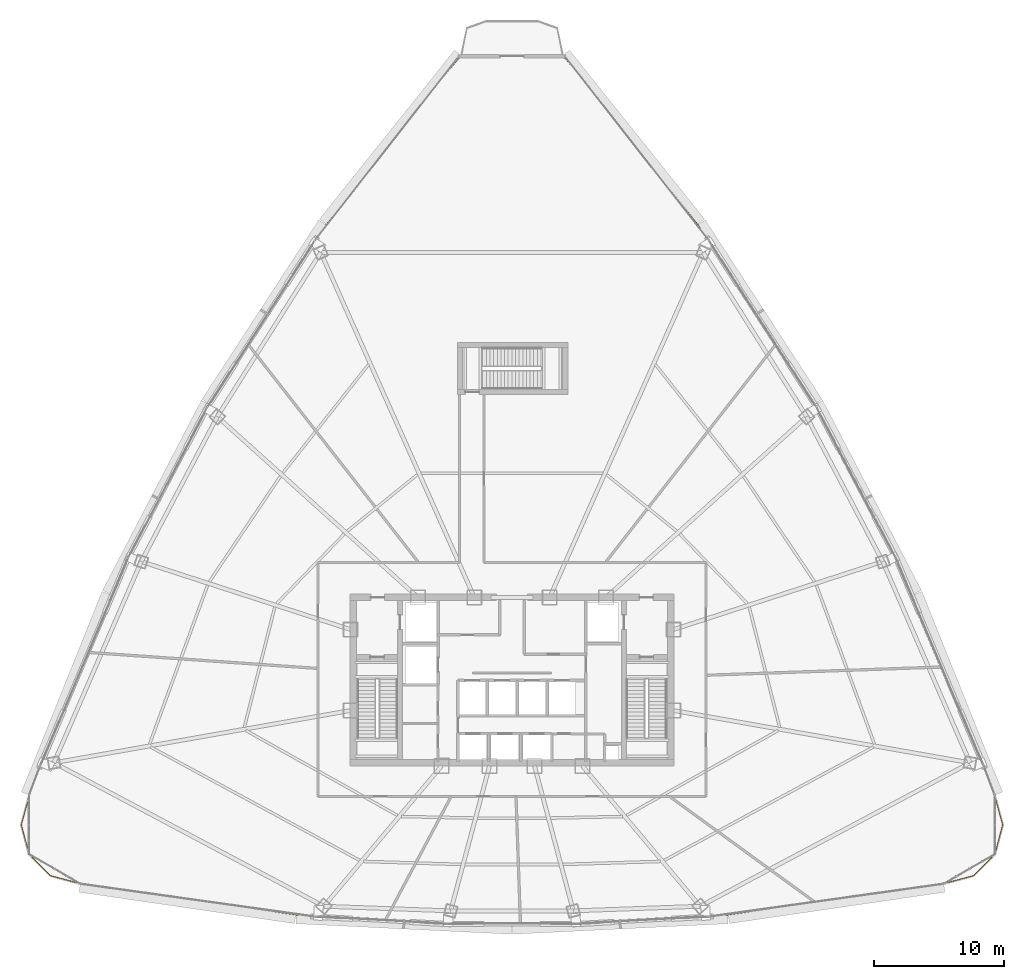
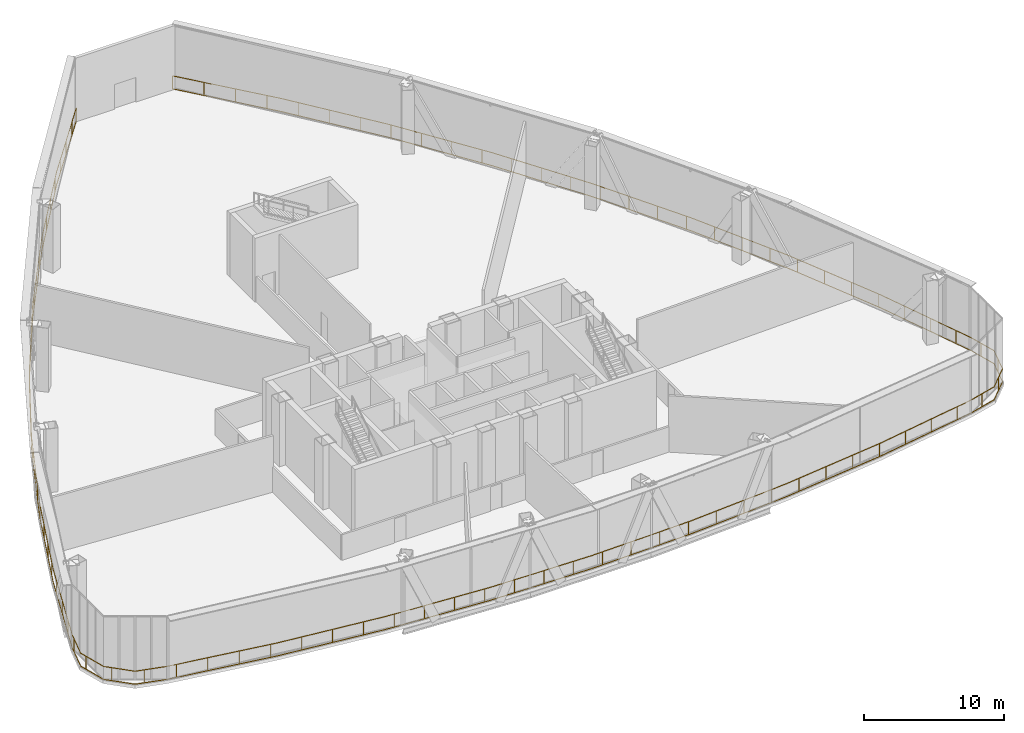
# One storey, part 36 of 38: 1 railing.
"""IFC4 building model written with IfcOpenShell, lengths in metres."""

from ifc_helpers import new_model, si_unit, direction, frame, origin, origin_2d, place, context, subcontext, project, spatial, rectangle, extrude, material, type_object, element, save


model = new_model("IFC4")

# Units and contexts
model_context = context("Model", 3, precision=1e-05, world=origin(), true_north=direction((0.0, 1.0)))
body_context = subcontext(model_context, "Body", "Model", "MODEL_VIEW")
ifc_project = project(units=[si_unit("LENGTHUNIT", "METRE"), si_unit("AREAUNIT", "SQUARE_METRE"), si_unit("VOLUMEUNIT", "CUBIC_METRE"), si_unit("PLANEANGLEUNIT", "RADIAN"), si_unit("MASSUNIT", "GRAM", prefix="KILO"), si_unit("THERMODYNAMICTEMPERATUREUNIT", "KELVIN"), si_unit("POWERUNIT", "WATT")], contexts=[model_context])

# Site, building, storey
site_placement = place(None, origin())
site = spatial("IfcSite", under=ifc_project, at=site_placement, CompositionType="ELEMENT")
building_placement = place(site_placement, origin())
building = spatial("IfcBuilding", under=site, at=building_placement, Name="Yunzhuo Pagoda Commons", CompositionType="ELEMENT")
storey_placement = place(building_placement, frame((0.0, 0.0, 218.9599609375)))
storey = spatial("IfcBuildingStorey", under=building, at=storey_placement, Name="L55", CompositionType="ELEMENT", Elevation=218.9599609375)

# Railing
ifc_material = material(Name="Anodized aluminium 6063-T6", Category="aluminium")
railing_type = type_object("IfcRailingType", Name="RL-SIL1 Curtain-Wall Sill Safety Guardrail 1180", PredefinedType="GUARDRAIL", material=ifc_material)
railing_placement = place(storey_placement, frame((51.968017578125, 81.778564453125, 0.0)))
element("IfcRailing", 1, at=railing_placement, inside=storey, type_object=railing_type, Name="L55 curtain-wall sill safety rail 1", PredefinedType="GUARDRAIL", context=body_context, shape_type="SweptSolid", body=[
    extrude(rectangle(XDim=0.048095703125, YDim=0.048095703125, at=origin_2d()), frame((0.0, 0.0, 1.15576171875), z_axis=(0.643014100333, -0.76585433783, 0.0), x_axis=(0.76585433783, 0.643014100333, 0.0)), (0.0, 0.0, 1.0), 8.236083984375),
    extrude(rectangle(XDim=0.048095703125, YDim=0.048095703125, at=origin_2d()), frame((0.0, 0.0, 0.02392578125), z_axis=(0.643014100333, -0.76585433783, 0.0), x_axis=(0.76585433783, 0.643014100333, 0.0)), (0.0, 0.0, 1.0), 8.236083984375),
    extrude(rectangle(XDim=0.048095703125, YDim=0.048095703125, at=origin_2d()), frame((5.2958984375, -6.3076171875, 1.15576171875), z_axis=(0.605524264173, -0.795826843916, 0.0), x_axis=(0.795826843916, 0.605524264173, 0.0)), (0.0, 0.0, 1.0), 8.2939453125),
    extrude(rectangle(XDim=0.048095703125, YDim=0.048095703125, at=origin_2d()), frame((5.2958984375, -6.3076171875, 0.02392578125), z_axis=(0.605524264173, -0.795826843916, 0.0), x_axis=(0.795826843916, 0.605524264173, 0.0)), (0.0, 0.0, 1.0), 8.2939453125),
    extrude(rectangle(XDim=0.048095703125, YDim=0.048095703125, at=origin_2d()), frame((10.318115234375, -12.908203125, 1.15576171875), z_axis=(0.566160996549, -0.824294683949, 0.0), x_axis=(0.824294683949, 0.566160996549, 0.0)), (0.0, 0.0, 1.0), 8.2548828125),
    extrude(rectangle(XDim=0.048095703125, YDim=0.048095703125, at=origin_2d()), frame((10.318115234375, -12.908203125, 0.02392578125), z_axis=(0.566160996549, -0.824294683949, 0.0), x_axis=(0.824294683949, 0.566160996549, 0.0)), (0.0, 0.0, 1.0), 8.2548828125),
    extrude(rectangle(XDim=0.048095703125, YDim=0.048095703125, at=origin_2d()), frame((14.99169921875, -19.712646484375, 1.15576171875), z_axis=(0.525163978831, -0.85100105484, 0.0), x_axis=(0.85100105484, 0.525163978831, 0.0)), (0.0, 0.0, 1.0), 8.234619140625),
    extrude(rectangle(XDim=0.048095703125, YDim=0.048095703125, at=origin_2d()), frame((14.99169921875, -19.712646484375, 0.02392578125), z_axis=(0.525163978831, -0.85100105484, 0.0), x_axis=(0.85100105484, 0.525163978831, 0.0)), (0.0, 0.0, 1.0), 8.234619140625),
    extrude(rectangle(XDim=0.048095703125, YDim=0.048095703125, at=origin_2d()), frame((19.316162109375, -26.72021484375, 1.15576171875), z_axis=(0.482785756314, -0.875738496071, 0.0), x_axis=(0.875738496071, 0.482785756314, 0.0)), (0.0, 0.0, 1.0), 8.234619140625),
    extrude(rectangle(XDim=0.048095703125, YDim=0.048095703125, at=origin_2d()), frame((19.316162109375, -26.72021484375, 0.02392578125), z_axis=(0.482785756314, -0.875738496071, 0.0), x_axis=(0.875738496071, 0.482785756314, 0.0)), (0.0, 0.0, 1.0), 8.234619140625),
    extrude(rectangle(XDim=0.048095703125, YDim=0.048095703125, at=origin_2d()), frame((23.291748046875, -33.931640625, 1.15576171875), z_axis=(0.439376686722, -0.898302915038, 0.0), x_axis=(0.898302915038, 0.439376686722, 0.0)), (0.0, 0.0, 1.0), 8.2548828125),
    extrude(rectangle(XDim=0.048095703125, YDim=0.048095703125, at=origin_2d()), frame((23.291748046875, -33.931640625, 0.02392578125), z_axis=(0.439376686722, -0.898302915038, 0.0), x_axis=(0.898302915038, 0.439376686722, 0.0)), (0.0, 0.0, 1.0), 8.2548828125),
    extrude(rectangle(XDim=0.048095703125, YDim=0.048095703125, at=origin_2d()), frame((26.918701171875, -41.346923828125, 1.15576171875), z_axis=(0.395236914999, -0.918579218697, 0.0), x_axis=(0.918579218697, 0.395236914999, 0.0)), (0.0, 0.0, 1.0), 8.2939453125),
    extrude(rectangle(XDim=0.048095703125, YDim=0.048095703125, at=origin_2d()), frame((26.918701171875, -41.346923828125, 0.02392578125), z_axis=(0.395236914999, -0.918579218697, 0.0), x_axis=(0.918579218697, 0.395236914999, 0.0)), (0.0, 0.0, 1.0), 8.2939453125),
    extrude(rectangle(XDim=0.048095703125, YDim=0.048095703125, at=origin_2d()), frame((30.19677734375, -48.965576171875, 1.15576171875), z_axis=(0.350713304971, -0.936482876361, 0.0), x_axis=(0.936482876361, 0.350713304971, 0.0)), (0.0, 0.0, 1.0), 8.350830078125),
    extrude(rectangle(XDim=0.048095703125, YDim=0.048095703125, at=origin_2d()), frame((30.19677734375, -48.965576171875, 0.02392578125), z_axis=(0.350713304971, -0.936482876361, 0.0), x_axis=(0.936482876361, 0.350713304971, 0.0)), (0.0, 0.0, 1.0), 8.350830078125),
    extrude(rectangle(XDim=0.048095703125, YDim=0.048095703125, at=origin_2d()), frame((33.12548828125, -56.785888671875, 1.15576171875), z_axis=(0.262801225406, -0.964849996593, 0.0), x_axis=(0.964849996593, 0.262801225406, 0.0)), (0.0, 0.0, 1.0), 2.352294921875),
    extrude(rectangle(XDim=0.048095703125, YDim=0.048095703125, at=origin_2d()), frame((33.12548828125, -56.785888671875, 0.02392578125), z_axis=(0.262801225406, -0.964849996593, 0.0), x_axis=(0.964849996593, 0.262801225406, 0.0)), (0.0, 0.0, 1.0), 2.352294921875),
    extrude(rectangle(XDim=0.048095703125, YDim=0.048095703125, at=origin_2d()), frame((33.74365234375, -59.055419921875, 1.15576171875), z_axis=(-0.255901201169, -0.966702940536, 0.0), x_axis=(0.966702940536, -0.255901201169, 0.0)), (0.0, 0.0, 1.0), 2.329833984375),
    extrude(rectangle(XDim=0.048095703125, YDim=0.048095703125, at=origin_2d()), frame((33.74365234375, -59.055419921875, 0.02392578125), z_axis=(-0.255901201169, -0.966702940536, 0.0), x_axis=(0.966702940536, -0.255901201169, 0.0)), (0.0, 0.0, 1.0), 2.329833984375),
    extrude(rectangle(XDim=0.048095703125, YDim=0.048095703125, at=origin_2d()), frame((33.1474609375, -61.3076171875, 1.15576171875), z_axis=(-0.705848213811, -0.708363112435, 0.0), x_axis=(0.708363112435, -0.705848213811, 0.0)), (0.0, 0.0, 1.0), 2.329833984375),
    extrude(rectangle(XDim=0.048095703125, YDim=0.048095703125, at=origin_2d()), frame((33.1474609375, -61.3076171875, 0.02392578125), z_axis=(-0.705848213811, -0.708363112435, 0.0), x_axis=(0.708363112435, -0.705848213811, 0.0)), (0.0, 0.0, 1.0), 2.329833984375),
    extrude(rectangle(XDim=0.048095703125, YDim=0.048095703125, at=origin_2d()), frame((31.5029296875, -62.9580078125, 1.15576171875), z_axis=(-0.965769930566, -0.259400156544, 0.0), x_axis=(0.259400156544, -0.965769930566, 0.0)), (0.0, 0.0, 1.0), 2.35205078125),
    extrude(rectangle(XDim=0.048095703125, YDim=0.048095703125, at=origin_2d()), frame((31.5029296875, -62.9580078125, 0.02392578125), z_axis=(-0.965769930566, -0.259400156544, 0.0), x_axis=(0.259400156544, -0.965769930566, 0.0)), (0.0, 0.0, 1.0), 2.35205078125),
    extrude(rectangle(XDim=0.048095703125, YDim=0.048095703125, at=origin_2d()), frame((29.2314453125, -63.568115234375, 1.15576171875), z_axis=(-0.985804526299, -0.167897099228, 0.0), x_axis=(0.167897099228, -0.985804526299, 0.0)), (0.0, 0.0, 1.0), 8.417724609375),
    extrude(rectangle(XDim=0.048095703125, YDim=0.048095703125, at=origin_2d()), frame((29.2314453125, -63.568115234375, 0.02392578125), z_axis=(-0.985804526299, -0.167897099228, 0.0), x_axis=(0.167897099228, -0.985804526299, 0.0)), (0.0, 0.0, 1.0), 8.417724609375),
    extrude(rectangle(XDim=0.048095703125, YDim=0.048095703125, at=origin_2d()), frame((20.93310546875, -64.9814453125, 1.15576171875), z_axis=(-0.992681688938, -0.120760359583, 0.0), x_axis=(0.120760359583, -0.992681688938, 0.0)), (0.0, 0.0, 1.0), 8.36181640625),
    extrude(rectangle(XDim=0.048095703125, YDim=0.048095703125, at=origin_2d()), frame((20.93310546875, -64.9814453125, 0.02392578125), z_axis=(-0.992681688938, -0.120760359583, 0.0), x_axis=(0.120760359583, -0.992681688938, 0.0)), (0.0, 0.0, 1.0), 8.36181640625),
    extrude(rectangle(XDim=0.048095703125, YDim=0.048095703125, at=origin_2d()), frame((12.632568359375, -65.9912109375, 1.15576171875), z_axis=(-0.997345791259, -0.072810525734, 0.0), x_axis=(0.072810525734, -0.997345791259, 0.0)), (0.0, 0.0, 1.0), 8.322265625),
    extrude(rectangle(XDim=0.048095703125, YDim=0.048095703125, at=origin_2d()), frame((12.632568359375, -65.9912109375, 0.02392578125), z_axis=(-0.997345791259, -0.072810525734, 0.0), x_axis=(0.072810525734, -0.997345791259, 0.0)), (0.0, 0.0, 1.0), 8.322265625),
    extrude(rectangle(XDim=0.048095703125, YDim=0.048095703125, at=origin_2d()), frame((4.332275390625, -66.59716796875, 1.15576171875), z_axis=(-0.999704279381, -0.024317766899, 0.0), x_axis=(0.024317766899, -0.999704279381, 0.0)), (0.0, 0.0, 1.0), 8.302734375),
    extrude(rectangle(XDim=0.048095703125, YDim=0.048095703125, at=origin_2d()), frame((4.332275390625, -66.59716796875, 0.02392578125), z_axis=(-0.999704279381, -0.024317766899, 0.0), x_axis=(0.024317766899, -0.999704279381, 0.0)), (0.0, 0.0, 1.0), 8.302734375),
    extrude(rectangle(XDim=0.048095703125, YDim=0.048095703125, at=origin_2d()), frame((-3.968017578125, -66.799072265625, 1.15576171875), z_axis=(-0.999704279381, 0.024317766899, 0.0), x_axis=(-0.024317766899, -0.999704279381, 0.0)), (0.0, 0.0, 1.0), 8.302734375),
    extrude(rectangle(XDim=0.048095703125, YDim=0.048095703125, at=origin_2d()), frame((-3.968017578125, -66.799072265625, 0.02392578125), z_axis=(-0.999704279381, 0.024317766899, 0.0), x_axis=(-0.024317766899, -0.999704279381, 0.0)), (0.0, 0.0, 1.0), 8.302734375),
    extrude(rectangle(XDim=0.048095703125, YDim=0.048095703125, at=origin_2d()), frame((-12.268310546875, -66.59716796875, 1.15576171875), z_axis=(-0.997345791259, 0.072810525734, 0.0), x_axis=(-0.072810525734, -0.997345791259, 0.0)), (0.0, 0.0, 1.0), 8.322265625),
    extrude(rectangle(XDim=0.048095703125, YDim=0.048095703125, at=origin_2d()), frame((-12.268310546875, -66.59716796875, 0.02392578125), z_axis=(-0.997345791259, 0.072810525734, 0.0), x_axis=(-0.072810525734, -0.997345791259, 0.0)), (0.0, 0.0, 1.0), 8.322265625),
    extrude(rectangle(XDim=0.048095703125, YDim=0.048095703125, at=origin_2d()), frame((-20.568603515625, -65.9912109375, 1.15576171875), z_axis=(-0.992681688938, 0.120760359583, 0.0), x_axis=(-0.120760359583, -0.992681688938, 0.0)), (0.0, 0.0, 1.0), 8.36181640625),
    extrude(rectangle(XDim=0.048095703125, YDim=0.048095703125, at=origin_2d()), frame((-20.568603515625, -65.9912109375, 0.02392578125), z_axis=(-0.992681688938, 0.120760359583, 0.0), x_axis=(-0.120760359583, -0.992681688938, 0.0)), (0.0, 0.0, 1.0), 8.36181640625),
    extrude(rectangle(XDim=0.048095703125, YDim=0.048095703125, at=origin_2d()), frame((-28.869140625, -64.9814453125, 1.15576171875), z_axis=(-0.985804526299, 0.167897099228, 0.0), x_axis=(-0.167897099228, -0.985804526299, 0.0)), (0.0, 0.0, 1.0), 8.417724609375),
    extrude(rectangle(XDim=0.048095703125, YDim=0.048095703125, at=origin_2d()), frame((-28.869140625, -64.9814453125, 0.02392578125), z_axis=(-0.985804526299, 0.167897099228, 0.0), x_axis=(-0.167897099228, -0.985804526299, 0.0)), (0.0, 0.0, 1.0), 8.417724609375),
    extrude(rectangle(XDim=0.048095703125, YDim=0.048095703125, at=origin_2d()), frame((-37.16748046875, -63.568115234375, 1.15576171875), z_axis=(-0.965769930566, 0.259400156544, 0.0), x_axis=(-0.259400156544, -0.965769930566, 0.0)), (0.0, 0.0, 1.0), 2.35205078125),
    extrude(rectangle(XDim=0.048095703125, YDim=0.048095703125, at=origin_2d()), frame((-37.16748046875, -63.568115234375, 0.02392578125), z_axis=(-0.965769930566, 0.259400156544, 0.0), x_axis=(-0.259400156544, -0.965769930566, 0.0)), (0.0, 0.0, 1.0), 2.35205078125),
    extrude(rectangle(XDim=0.048095703125, YDim=0.048095703125, at=origin_2d()), frame((-39.43896484375, -62.9580078125, 1.15576171875), z_axis=(-0.705848213811, 0.708363112435, 0.0), x_axis=(-0.708363112435, -0.705848213811, 0.0)), (0.0, 0.0, 1.0), 2.329833984375),
    extrude(rectangle(XDim=0.048095703125, YDim=0.048095703125, at=origin_2d()), frame((-39.43896484375, -62.9580078125, 0.02392578125), z_axis=(-0.705848213811, 0.708363112435, 0.0), x_axis=(-0.708363112435, -0.705848213811, 0.0)), (0.0, 0.0, 1.0), 2.329833984375),
    extrude(rectangle(XDim=0.048095703125, YDim=0.048095703125, at=origin_2d()), frame((-41.08349609375, -61.3076171875, 1.15576171875), z_axis=(-0.255901201169, 0.966702940536, 0.0), x_axis=(-0.966702940536, -0.255901201169, 0.0)), (0.0, 0.0, 1.0), 2.329833984375),
    extrude(rectangle(XDim=0.048095703125, YDim=0.048095703125, at=origin_2d()), frame((-41.08349609375, -61.3076171875, 0.02392578125), z_axis=(-0.255901201169, 0.966702940536, 0.0), x_axis=(-0.966702940536, -0.255901201169, 0.0)), (0.0, 0.0, 1.0), 2.329833984375),
    extrude(rectangle(XDim=0.048095703125, YDim=0.048095703125, at=origin_2d()), frame((-41.6796875, -59.055419921875, 1.15576171875), z_axis=(0.262801225406, 0.964849996593, 0.0), x_axis=(-0.964849996593, 0.262801225406, 0.0)), (0.0, 0.0, 1.0), 2.352294921875),
    extrude(rectangle(XDim=0.048095703125, YDim=0.048095703125, at=origin_2d()), frame((-41.6796875, -59.055419921875, 0.02392578125), z_axis=(0.262801225406, 0.964849996593, 0.0), x_axis=(-0.964849996593, 0.262801225406, 0.0)), (0.0, 0.0, 1.0), 2.352294921875),
    extrude(rectangle(XDim=0.048095703125, YDim=0.048095703125, at=origin_2d()), frame((-41.0615234375, -56.785888671875, 1.15576171875), z_axis=(0.350713304971, 0.936482876361, 0.0), x_axis=(-0.936482876361, 0.350713304971, 0.0)), (0.0, 0.0, 1.0), 8.350830078125),
    extrude(rectangle(XDim=0.048095703125, YDim=0.048095703125, at=origin_2d()), frame((-41.0615234375, -56.785888671875, 0.02392578125), z_axis=(0.350713304971, 0.936482876361, 0.0), x_axis=(-0.936482876361, 0.350713304971, 0.0)), (0.0, 0.0, 1.0), 8.350830078125),
    extrude(rectangle(XDim=0.048095703125, YDim=0.048095703125, at=origin_2d()), frame((-38.1328125, -48.965576171875, 1.15576171875), z_axis=(0.395236914999, 0.918579218697, 0.0), x_axis=(-0.918579218697, 0.395236914999, 0.0)), (0.0, 0.0, 1.0), 8.2939453125),
    extrude(rectangle(XDim=0.048095703125, YDim=0.048095703125, at=origin_2d()), frame((-38.1328125, -48.965576171875, 0.02392578125), z_axis=(0.395236914999, 0.918579218697, 0.0), x_axis=(-0.918579218697, 0.395236914999, 0.0)), (0.0, 0.0, 1.0), 8.2939453125),
    extrude(rectangle(XDim=0.048095703125, YDim=0.048095703125, at=origin_2d()), frame((-34.854736328125, -41.346923828125, 1.15576171875), z_axis=(0.439376686722, 0.898302915038, 0.0), x_axis=(-0.898302915038, 0.439376686722, 0.0)), (0.0, 0.0, 1.0), 8.2548828125),
    extrude(rectangle(XDim=0.048095703125, YDim=0.048095703125, at=origin_2d()), frame((-34.854736328125, -41.346923828125, 0.02392578125), z_axis=(0.439376686722, 0.898302915038, 0.0), x_axis=(-0.898302915038, 0.439376686722, 0.0)), (0.0, 0.0, 1.0), 8.2548828125),
    extrude(rectangle(XDim=0.048095703125, YDim=0.048095703125, at=origin_2d()), frame((-31.227783203125, -33.931640625, 1.15576171875), z_axis=(0.482785756314, 0.875738496071, 0.0), x_axis=(-0.875738496071, 0.482785756314, 0.0)), (0.0, 0.0, 1.0), 8.234619140625),
    extrude(rectangle(XDim=0.048095703125, YDim=0.048095703125, at=origin_2d()), frame((-31.227783203125, -33.931640625, 0.02392578125), z_axis=(0.482785756314, 0.875738496071, 0.0), x_axis=(-0.875738496071, 0.482785756314, 0.0)), (0.0, 0.0, 1.0), 8.234619140625),
    extrude(rectangle(XDim=0.048095703125, YDim=0.048095703125, at=origin_2d()), frame((-27.252197265625, -26.72021484375, 1.15576171875), z_axis=(0.525163978831, 0.85100105484, 0.0), x_axis=(-0.85100105484, 0.525163978831, 0.0)), (0.0, 0.0, 1.0), 8.234619140625),
    extrude(rectangle(XDim=0.048095703125, YDim=0.048095703125, at=origin_2d()), frame((-27.252197265625, -26.72021484375, 0.02392578125), z_axis=(0.525163978831, 0.85100105484, 0.0), x_axis=(-0.85100105484, 0.525163978831, 0.0)), (0.0, 0.0, 1.0), 8.234619140625),
    extrude(rectangle(XDim=0.048095703125, YDim=0.048095703125, at=origin_2d()), frame((-22.927734375, -19.712646484375, 1.15576171875), z_axis=(0.566160996549, 0.824294683949, 0.0), x_axis=(-0.824294683949, 0.566160996549, 0.0)), (0.0, 0.0, 1.0), 8.2548828125),
    extrude(rectangle(XDim=0.048095703125, YDim=0.048095703125, at=origin_2d()), frame((-22.927734375, -19.712646484375, 0.02392578125), z_axis=(0.566160996549, 0.824294683949, 0.0), x_axis=(-0.824294683949, 0.566160996549, 0.0)), (0.0, 0.0, 1.0), 8.2548828125),
    extrude(rectangle(XDim=0.048095703125, YDim=0.048095703125, at=origin_2d()), frame((-18.254150390625, -12.908203125, 1.15576171875), z_axis=(0.605524264173, 0.795826843916, 0.0), x_axis=(-0.795826843916, 0.605524264173, 0.0)), (0.0, 0.0, 1.0), 8.2939453125),
    extrude(rectangle(XDim=0.048095703125, YDim=0.048095703125, at=origin_2d()), frame((-18.254150390625, -12.908203125, 0.02392578125), z_axis=(0.605524264173, 0.795826843916, 0.0), x_axis=(-0.795826843916, 0.605524264173, 0.0)), (0.0, 0.0, 1.0), 8.2939453125),
    extrude(rectangle(XDim=0.048095703125, YDim=0.048095703125, at=origin_2d()), frame((-13.23193359375, -6.3076171875, 1.15576171875), z_axis=(0.643014100333, 0.76585433783, 0.0), x_axis=(-0.76585433783, 0.643014100333, 0.0)), (0.0, 0.0, 1.0), 8.236083984375),
    extrude(rectangle(XDim=0.048095703125, YDim=0.048095703125, at=origin_2d()), frame((-13.23193359375, -6.3076171875, 0.02392578125), z_axis=(0.643014100333, 0.76585433783, 0.0), x_axis=(-0.76585433783, 0.643014100333, 0.0)), (0.0, 0.0, 1.0), 8.236083984375),
    extrude(rectangle(XDim=0.0419921875, YDim=0.0419921875, at=origin_2d()), origin(), (0.0, 0.0, 1.0), 1.1318359375),
    extrude(rectangle(XDim=0.0419921875, YDim=0.0419921875, at=origin_2d()), frame((1.543212890625, -1.838134765625, 0.0)), (0.0, 0.0, 1.0), 1.1318359375),
    extrude(rectangle(XDim=0.0419921875, YDim=0.0419921875, at=origin_2d()), frame((3.08642578125, -3.676025390625, 0.0)), (0.0, 0.0, 1.0), 1.1318359375),
    extrude(rectangle(XDim=0.0419921875, YDim=0.0419921875, at=origin_2d()), frame((4.629638671875, -5.51416015625, 0.0)), (0.0, 0.0, 1.0), 1.1318359375),
    extrude(rectangle(XDim=0.0419921875, YDim=0.0419921875, at=origin_2d()), frame((6.121826171875, -7.39306640625, 0.0)), (0.0, 0.0, 1.0), 1.1318359375),
    extrude(rectangle(XDim=0.0419921875, YDim=0.0419921875, at=origin_2d()), frame((7.574951171875, -9.302978515625, 0.0)), (0.0, 0.0, 1.0), 1.1318359375),
    extrude(rectangle(XDim=0.0419921875, YDim=0.0419921875, at=origin_2d()), frame((9.0283203125, -11.213134765625, 0.0)), (0.0, 0.0, 1.0), 1.1318359375),
    extrude(rectangle(XDim=0.0419921875, YDim=0.0419921875, at=origin_2d()), frame((10.470947265625, -13.130615234375, 0.0)), (0.0, 0.0, 1.0), 1.1318359375),
    extrude(rectangle(XDim=0.0419921875, YDim=0.0419921875, at=origin_2d()), frame((11.829833984375, -15.109130859375, 0.0)), (0.0, 0.0, 1.0), 1.1318359375),
    extrude(rectangle(XDim=0.0419921875, YDim=0.0419921875, at=origin_2d()), frame((13.1884765625, -17.08740234375, 0.0)), (0.0, 0.0, 1.0), 1.1318359375),
    extrude(rectangle(XDim=0.0419921875, YDim=0.0419921875, at=origin_2d()), frame((14.54736328125, -19.065673828125, 0.0)), (0.0, 0.0, 1.0), 1.1318359375),
    extrude(rectangle(XDim=0.0419921875, YDim=0.0419921875, at=origin_2d()), frame((15.83984375, -21.087158203125, 0.0)), (0.0, 0.0, 1.0), 1.1318359375),
    extrude(rectangle(XDim=0.0419921875, YDim=0.0419921875, at=origin_2d()), frame((17.100341796875, -23.12939453125, 0.0)), (0.0, 0.0, 1.0), 1.1318359375),
    extrude(rectangle(XDim=0.0419921875, YDim=0.0419921875, at=origin_2d()), frame((18.360595703125, -25.171875, 0.0)), (0.0, 0.0, 1.0), 1.1318359375),
    extrude(rectangle(XDim=0.0419921875, YDim=0.0419921875, at=origin_2d()), frame((19.596435546875, -27.228759765625, 0.0)), (0.0, 0.0, 1.0), 1.1318359375),
    extrude(rectangle(XDim=0.0419921875, YDim=0.0419921875, at=origin_2d()), frame((20.755126953125, -29.330322265625, 0.0)), (0.0, 0.0, 1.0), 1.1318359375),
    extrude(rectangle(XDim=0.0419921875, YDim=0.0419921875, at=origin_2d()), frame((21.913818359375, -31.43212890625, 0.0)), (0.0, 0.0, 1.0), 1.1318359375),
    extrude(rectangle(XDim=0.0419921875, YDim=0.0419921875, at=origin_2d()), frame((23.072509765625, -33.533935546875, 0.0)), (0.0, 0.0, 1.0), 1.1318359375),
    extrude(rectangle(XDim=0.0419921875, YDim=0.0419921875, at=origin_2d()), frame((24.146728515625, -35.6796875, 0.0)), (0.0, 0.0, 1.0), 1.1318359375),
    extrude(rectangle(XDim=0.0419921875, YDim=0.0419921875, at=origin_2d()), frame((25.201171875, -37.835693359375, 0.0)), (0.0, 0.0, 1.0), 1.1318359375),
    extrude(rectangle(XDim=0.0419921875, YDim=0.0419921875, at=origin_2d()), frame((26.255859375, -39.991455078125, 0.0)), (0.0, 0.0, 1.0), 1.1318359375),
    extrude(rectangle(XDim=0.0419921875, YDim=0.0419921875, at=origin_2d()), frame((27.27099609375, -42.16552734375, 0.0)), (0.0, 0.0, 1.0), 1.1318359375),
    extrude(rectangle(XDim=0.0419921875, YDim=0.0419921875, at=origin_2d()), frame((28.219482421875, -44.3701171875, 0.0)), (0.0, 0.0, 1.0), 1.1318359375),
    extrude(rectangle(XDim=0.0419921875, YDim=0.0419921875, at=origin_2d()), frame((29.16796875, -46.57470703125, 0.0)), (0.0, 0.0, 1.0), 1.1318359375),
    extrude(rectangle(XDim=0.0419921875, YDim=0.0419921875, at=origin_2d()), frame((30.11669921875, -48.779296875, 0.0)), (0.0, 0.0, 1.0), 1.1318359375),
    extrude(rectangle(XDim=0.0419921875, YDim=0.0419921875, at=origin_2d()), frame((30.96728515625, -51.023193359375, 0.0)), (0.0, 0.0, 1.0), 1.1318359375),
    extrude(rectangle(XDim=0.0419921875, YDim=0.0419921875, at=origin_2d()), frame((31.80908203125, -53.270751953125, 0.0)), (0.0, 0.0, 1.0), 1.1318359375),
    extrude(rectangle(XDim=0.0419921875, YDim=0.0419921875, at=origin_2d()), frame((32.65087890625, -55.518310546875, 0.0)), (0.0, 0.0, 1.0), 1.1318359375),
    extrude(rectangle(XDim=0.0419921875, YDim=0.0419921875, at=origin_2d()), frame((33.400390625, -57.795654296875, 0.0)), (0.0, 0.0, 1.0), 1.1318359375),
    extrude(rectangle(XDim=0.0419921875, YDim=0.0419921875, at=origin_2d()), frame((33.463623046875, -60.11328125, 0.0)), (0.0, 0.0, 1.0), 1.1318359375),
    extrude(rectangle(XDim=0.0419921875, YDim=0.0419921875, at=origin_2d()), frame((32.325439453125, -62.132568359375, 0.0)), (0.0, 0.0, 1.0), 1.1318359375),
    extrude(rectangle(XDim=0.0419921875, YDim=0.0419921875, at=origin_2d()), frame((30.310546875, -63.2783203125, 0.0)), (0.0, 0.0, 1.0), 1.1318359375),
    extrude(rectangle(XDim=0.0419921875, YDim=0.0419921875, at=origin_2d()), frame((27.967041015625, -63.783447265625, 0.0)), (0.0, 0.0, 1.0), 1.1318359375),
    extrude(rectangle(XDim=0.0419921875, YDim=0.0419921875, at=origin_2d()), frame((25.60107421875, -64.1865234375, 0.0)), (0.0, 0.0, 1.0), 1.1318359375),
    extrude(rectangle(XDim=0.0419921875, YDim=0.0419921875, at=origin_2d()), frame((23.235107421875, -64.58935546875, 0.0)), (0.0, 0.0, 1.0), 1.1318359375),
    extrude(rectangle(XDim=0.0419921875, YDim=0.0419921875, at=origin_2d()), frame((20.868896484375, -64.9892578125, 0.0)), (0.0, 0.0, 1.0), 1.1318359375),
    extrude(rectangle(XDim=0.0419921875, YDim=0.0419921875, at=origin_2d()), frame((18.486328125, -65.279052734375, 0.0)), (0.0, 0.0, 1.0), 1.1318359375),
    extrude(rectangle(XDim=0.0419921875, YDim=0.0419921875, at=origin_2d()), frame((16.10400390625, -65.56884765625, 0.0)), (0.0, 0.0, 1.0), 1.1318359375),
    extrude(rectangle(XDim=0.0419921875, YDim=0.0419921875, at=origin_2d()), frame((13.721435546875, -65.858642578125, 0.0)), (0.0, 0.0, 1.0), 1.1318359375),
    extrude(rectangle(XDim=0.0419921875, YDim=0.0419921875, at=origin_2d()), frame((11.3330078125, -66.086181640625, 0.0)), (0.0, 0.0, 1.0), 1.1318359375),
    extrude(rectangle(XDim=0.0419921875, YDim=0.0419921875, at=origin_2d()), frame((8.939453125, -66.2607421875, 0.0)), (0.0, 0.0, 1.0), 1.1318359375),
    extrude(rectangle(XDim=0.0419921875, YDim=0.0419921875, at=origin_2d()), frame((6.545654296875, -66.435546875, 0.0)), (0.0, 0.0, 1.0), 1.1318359375),
    extrude(rectangle(XDim=0.0419921875, YDim=0.0419921875, at=origin_2d()), frame((4.151611328125, -66.6015625, 0.0)), (0.0, 0.0, 1.0), 1.1318359375),
    extrude(rectangle(XDim=0.0419921875, YDim=0.0419921875, at=origin_2d()), frame((1.75244140625, -66.659912109375, 0.0)), (0.0, 0.0, 1.0), 1.1318359375),
    extrude(rectangle(XDim=0.0419921875, YDim=0.0419921875, at=origin_2d()), frame((-0.64697265625, -66.71826171875, 0.0)), (0.0, 0.0, 1.0), 1.1318359375),
    extrude(rectangle(XDim=0.0419921875, YDim=0.0419921875, at=origin_2d()), frame((-3.046142578125, -66.776611328125, 0.0)), (0.0, 0.0, 1.0), 1.1318359375),
    extrude(rectangle(XDim=0.0419921875, YDim=0.0419921875, at=origin_2d()), frame((-5.445556640625, -66.76318359375, 0.0)), (0.0, 0.0, 1.0), 1.1318359375),
    extrude(rectangle(XDim=0.0419921875, YDim=0.0419921875, at=origin_2d()), frame((-7.8447265625, -66.704833984375, 0.0)), (0.0, 0.0, 1.0), 1.1318359375),
    extrude(rectangle(XDim=0.0419921875, YDim=0.0419921875, at=origin_2d()), frame((-10.244140625, -66.646484375, 0.0)), (0.0, 0.0, 1.0), 1.1318359375),
    extrude(rectangle(XDim=0.0419921875, YDim=0.0419921875, at=origin_2d()), frame((-12.642578125, -66.56982421875, 0.0)), (0.0, 0.0, 1.0), 1.1318359375),
    extrude(rectangle(XDim=0.0419921875, YDim=0.0419921875, at=origin_2d()), frame((-15.0361328125, -66.39501953125, 0.0)), (0.0, 0.0, 1.0), 1.1318359375),
    extrude(rectangle(XDim=0.0419921875, YDim=0.0419921875, at=origin_2d()), frame((-17.4296875, -66.220458984375, 0.0)), (0.0, 0.0, 1.0), 1.1318359375),
    extrude(rectangle(XDim=0.0419921875, YDim=0.0419921875, at=origin_2d()), frame((-19.823486328125, -66.045654296875, 0.0)), (0.0, 0.0, 1.0), 1.1318359375),
    extrude(rectangle(XDim=0.0419921875, YDim=0.0419921875, at=origin_2d()), frame((-22.209228515625, -65.79150390625, 0.0)), (0.0, 0.0, 1.0), 1.1318359375),
    extrude(rectangle(XDim=0.0419921875, YDim=0.0419921875, at=origin_2d()), frame((-24.591796875, -65.501708984375, 0.0)), (0.0, 0.0, 1.0), 1.1318359375),
    extrude(rectangle(XDim=0.0419921875, YDim=0.0419921875, at=origin_2d()), frame((-26.97412109375, -65.2119140625, 0.0)), (0.0, 0.0, 1.0), 1.1318359375),
    extrude(rectangle(XDim=0.0419921875, YDim=0.0419921875, at=origin_2d()), frame((-29.353271484375, -64.89892578125, 0.0)), (0.0, 0.0, 1.0), 1.1318359375),
    extrude(rectangle(XDim=0.0419921875, YDim=0.0419921875, at=origin_2d()), frame((-31.71923828125, -64.49609375, 0.0)), (0.0, 0.0, 1.0), 1.1318359375),
    extrude(rectangle(XDim=0.0419921875, YDim=0.0419921875, at=origin_2d()), frame((-34.085205078125, -64.093017578125, 0.0)), (0.0, 0.0, 1.0), 1.1318359375),
    extrude(rectangle(XDim=0.0419921875, YDim=0.0419921875, at=origin_2d()), frame((-36.450927734375, -63.690185546875, 0.0)), (0.0, 0.0, 1.0), 1.1318359375),
    extrude(rectangle(XDim=0.0419921875, YDim=0.0419921875, at=origin_2d()), frame((-38.783447265625, -63.134033203125, 0.0)), (0.0, 0.0, 1.0), 1.1318359375),
    extrude(rectangle(XDim=0.0419921875, YDim=0.0419921875, at=origin_2d()), frame((-40.65380859375, -61.73876953125, 0.0)), (0.0, 0.0, 1.0), 1.1318359375),
    extrude(rectangle(XDim=0.0419921875, YDim=0.0419921875, at=origin_2d()), frame((-41.5419921875, -59.575927734375, 0.0)), (0.0, 0.0, 1.0), 1.1318359375),
    extrude(rectangle(XDim=0.0419921875, YDim=0.0419921875, at=origin_2d()), frame((-41.1904296875, -57.25927734375, 0.0)), (0.0, 0.0, 1.0), 1.1318359375),
    extrude(rectangle(XDim=0.0419921875, YDim=0.0419921875, at=origin_2d()), frame((-40.391845703125, -54.997802734375, 0.0)), (0.0, 0.0, 1.0), 1.1318359375),
    extrude(rectangle(XDim=0.0419921875, YDim=0.0419921875, at=origin_2d()), frame((-39.550048828125, -52.750244140625, 0.0)), (0.0, 0.0, 1.0), 1.1318359375),
    extrude(rectangle(XDim=0.0419921875, YDim=0.0419921875, at=origin_2d()), frame((-38.70849609375, -50.502685546875, 0.0)), (0.0, 0.0, 1.0), 1.1318359375),
    extrude(rectangle(XDim=0.0419921875, YDim=0.0419921875, at=origin_2d()), frame((-37.8330078125, -48.268798828125, 0.0)), (0.0, 0.0, 1.0), 1.1318359375),
    extrude(rectangle(XDim=0.0419921875, YDim=0.0419921875, at=origin_2d()), frame((-36.88427734375, -46.064208984375, 0.0)), (0.0, 0.0, 1.0), 1.1318359375),
    extrude(rectangle(XDim=0.0419921875, YDim=0.0419921875, at=origin_2d()), frame((-35.935791015625, -43.859619140625, 0.0)), (0.0, 0.0, 1.0), 1.1318359375),
    extrude(rectangle(XDim=0.0419921875, YDim=0.0419921875, at=origin_2d()), frame((-34.9873046875, -41.655029296875, 0.0)), (0.0, 0.0, 1.0), 1.1318359375),
    extrude(rectangle(XDim=0.0419921875, YDim=0.0419921875, at=origin_2d()), frame((-33.947509765625, -39.4921875, 0.0)), (0.0, 0.0, 1.0), 1.1318359375),
    extrude(rectangle(XDim=0.0419921875, YDim=0.0419921875, at=origin_2d()), frame((-32.89306640625, -37.336181640625, 0.0)), (0.0, 0.0, 1.0), 1.1318359375),
    extrude(rectangle(XDim=0.0419921875, YDim=0.0419921875, at=origin_2d()), frame((-31.838623046875, -35.180419921875, 0.0)), (0.0, 0.0, 1.0), 1.1318359375),
    extrude(rectangle(XDim=0.0419921875, YDim=0.0419921875, at=origin_2d()), frame((-30.740234375, -33.047119140625, 0.0)), (0.0, 0.0, 1.0), 1.1318359375),
    extrude(rectangle(XDim=0.0419921875, YDim=0.0419921875, at=origin_2d()), frame((-29.58154296875, -30.945556640625, 0.0)), (0.0, 0.0, 1.0), 1.1318359375),
    extrude(rectangle(XDim=0.0419921875, YDim=0.0419921875, at=origin_2d()), frame((-28.4228515625, -28.84375, 0.0)), (0.0, 0.0, 1.0), 1.1318359375),
    extrude(rectangle(XDim=0.0419921875, YDim=0.0419921875, at=origin_2d()), frame((-26.0048828125, -24.698974609375, 0.0)), (0.0, 0.0, 1.0), 1.1318359375),
    extrude(rectangle(XDim=0.0419921875, YDim=0.0419921875, at=origin_2d()), frame((-24.744384765625, -22.656494140625, 0.0)), (0.0, 0.0, 1.0), 1.1318359375),
    extrude(rectangle(XDim=0.0419921875, YDim=0.0419921875, at=origin_2d()), frame((-23.484130859375, -20.614013671875, 0.0)), (0.0, 0.0, 1.0), 1.1318359375),
    extrude(rectangle(XDim=0.0419921875, YDim=0.0419921875, at=origin_2d()), frame((-22.168701171875, -18.607421875, 0.0)), (0.0, 0.0, 1.0), 1.1318359375),
    extrude(rectangle(XDim=0.0419921875, YDim=0.0419921875, at=origin_2d()), frame((-20.809814453125, -16.629150390625, 0.0)), (0.0, 0.0, 1.0), 1.1318359375),
    extrude(rectangle(XDim=0.0419921875, YDim=0.0419921875, at=origin_2d()), frame((-19.451171875, -14.65087890625, 0.0)), (0.0, 0.0, 1.0), 1.1318359375),
    extrude(rectangle(XDim=0.0419921875, YDim=0.0419921875, at=origin_2d()), frame((-18.0810546875, -12.6806640625, 0.0)), (0.0, 0.0, 1.0), 1.1318359375),
    extrude(rectangle(XDim=0.0419921875, YDim=0.0419921875, at=origin_2d()), frame((-16.627685546875, -10.770751953125, 0.0)), (0.0, 0.0, 1.0), 1.1318359375),
    extrude(rectangle(XDim=0.0419921875, YDim=0.0419921875, at=origin_2d()), frame((-15.174560546875, -8.86083984375, 0.0)), (0.0, 0.0, 1.0), 1.1318359375),
    extrude(rectangle(XDim=0.0419921875, YDim=0.0419921875, at=origin_2d()), frame((-13.72119140625, -6.95068359375, 0.0)), (0.0, 0.0, 1.0), 1.1318359375),
    extrude(rectangle(XDim=0.0419921875, YDim=0.0419921875, at=origin_2d()), frame((-12.208251953125, -5.08837890625, 0.0)), (0.0, 0.0, 1.0), 1.1318359375),
    extrude(rectangle(XDim=0.0419921875, YDim=0.0419921875, at=origin_2d()), frame((-10.6650390625, -3.25048828125, 0.0)), (0.0, 0.0, 1.0), 1.1318359375),
    extrude(rectangle(XDim=0.0419921875, YDim=0.0419921875, at=origin_2d()), frame((-9.121826171875, -1.412353515625, 0.0)), (0.0, 0.0, 1.0), 1.1318359375),
    extrude(rectangle(XDim=0.0419921875, YDim=0.0419921875, at=origin_2d()), frame((-7.93603515625, 0.0, 0.0)), (0.0, 0.0, 1.0), 1.1318359375),
])

save(model, "model.ifc")
